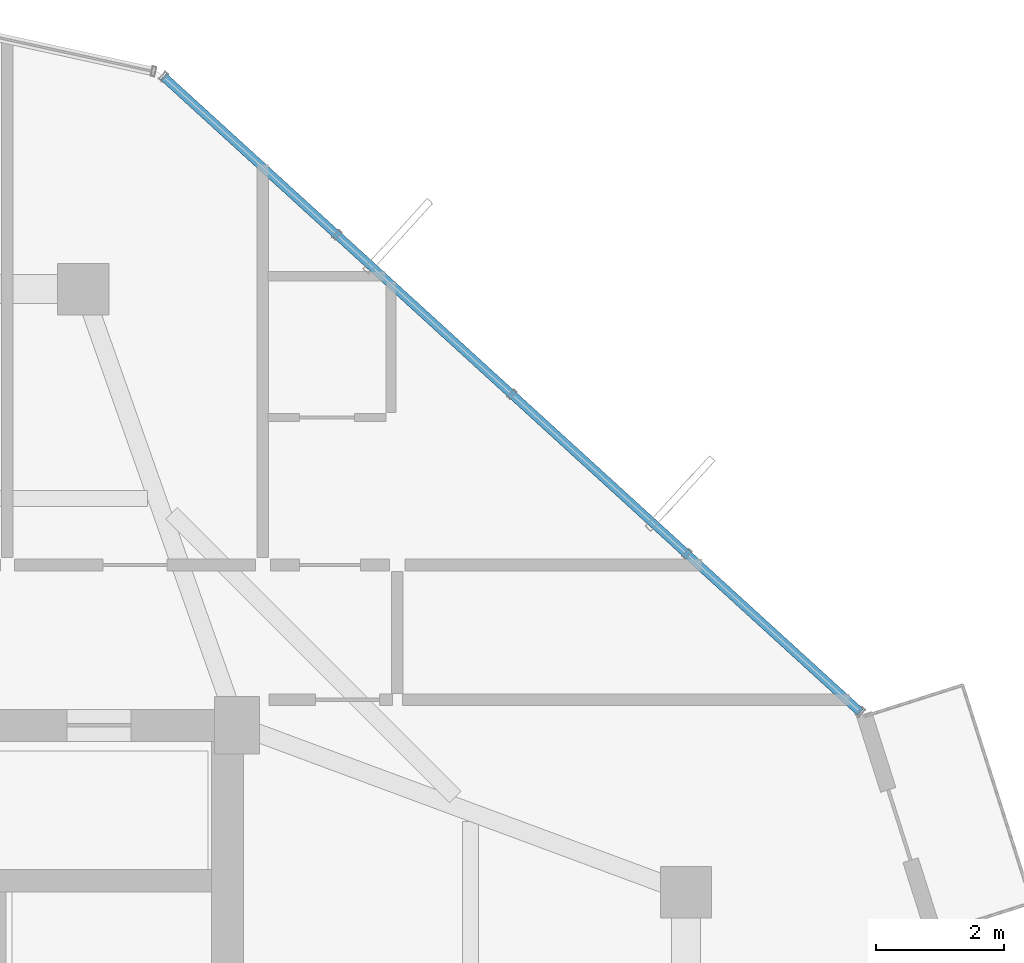
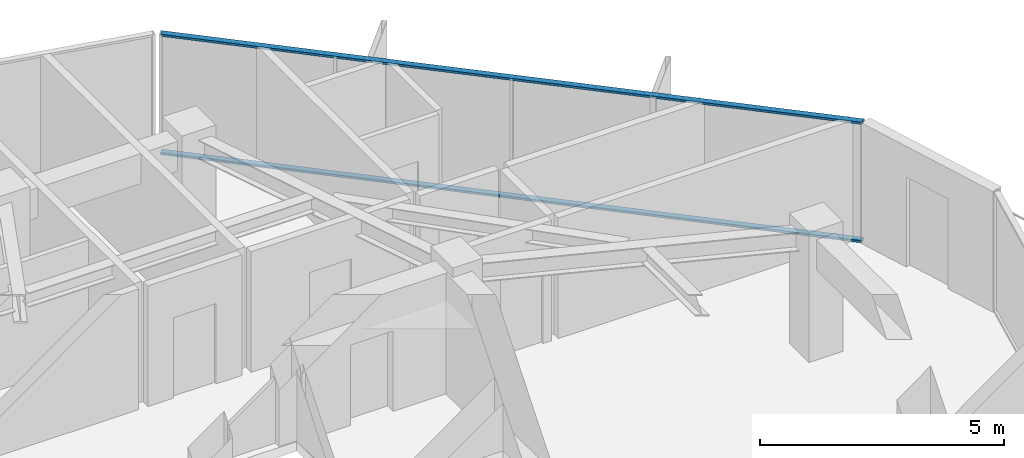
# One storey, part 16 of 28: 2 members, 1 element without a shape of its own.
"""IFC4 building model written with IfcOpenShell, lengths in metres."""

from ifc_helpers import new_model, si_unit, direction, frame, origin, origin_2d, place, context, subcontext, project, spatial, hollow_rectangle, extrude, source, transform, mapped, material, layer, layer_set, material_profile, profile_set, type_object, element, aggregate, save


model = new_model("IFC4")

# Units and contexts
model_context = context("Model", 3, precision=1e-05, world=origin(), true_north=direction((0.0, 1.0)))
body_context = subcontext(model_context, "Body", "Model", "MODEL_VIEW")
ifc_project = project(units=[si_unit("LENGTHUNIT", "METRE"), si_unit("AREAUNIT", "SQUARE_METRE"), si_unit("VOLUMEUNIT", "CUBIC_METRE"), si_unit("PLANEANGLEUNIT", "RADIAN"), si_unit("MASSUNIT", "GRAM", prefix="KILO")], contexts=[model_context])

# Site, building, storey
site_placement = place(None, origin())
site = spatial("IfcSite", under=ifc_project, at=site_placement, CompositionType="ELEMENT")
building_placement = place(site_placement, origin())
building = spatial("IfcBuilding", under=site, at=building_placement, Name="Veraguas Prism Commons", CompositionType="ELEMENT")
storey_placement = place(building_placement, frame((0.0, 0.0, 251.25)))
storey = spatial("IfcBuildingStorey", under=building, at=storey_placement, Name="L71", CompositionType="ELEMENT", Elevation=251.25)

# Curtain wall, members
ifc_material = material(Name="Anodised aluminium EN AW-6063 T6", Category="aluminium")
ifc_layer = layer(ifc_material, 0.14990234375, Name="Unitised Flush Curtain Wall Zone 4", Category="aluminium")
ifc_layer_set = layer_set([ifc_layer], Name="Anodised aluminium EN AW-6063 T6")
curtain_wall_type = type_object("IfcCurtainWallType", Name="Unitised Flush Curtain Wall Zone 4", PredefinedType="NOTDEFINED", material=ifc_layer_set)
curtain_wall_placement = place(storey_placement, origin())
curtain_wall = element("IfcCurtainWall", 1, at=curtain_wall_placement, inside=storey, type_object=curtain_wall_type, Name="Tower Facade Curtain Wall L71-F1", PredefinedType="NOTDEFINED")
ifc_material_profile = material_profile(ifc_material, hollow_rectangle(XDim=0.054931640625, YDim=0.135009765625, WallThickness=0.0029296875, at=origin_2d()), Name="AL55X135X3")
ifc_profile_set = profile_set([ifc_material_profile], Name="Anodised aluminium EN AW-6063 T6")
member_type = type_object("IfcMemberType", Name="Curtain Wall Transom Standard AL 55x135x3", PredefinedType="USERDEFINED", material=ifc_profile_set)
shared_shape = source(origin(), body_context, "Body", "SweptSolid", [
    extrude(hollow_rectangle(XDim=0.054931640625, YDim=0.135009765625, WallThickness=0.0029296875, at=origin_2d()), origin(), (0.0, 0.0, 1.0), 14.70654296875),
])
member_1_placement = place(storey_placement, frame((40.520263671875, 31.2041015625, 0.027587890625), z_axis=(-0.738919135947, 0.673794115833, 0.0), x_axis=(0.0, 0.0, 1.0)))
member_1 = element("IfcMember", 2, at=member_1_placement, type_object=member_type, Name="CW-Z4 Transom 1", ObjectType="TRANSOM", PredefinedType="USERDEFINED", context=body_context, shape_type="MappedRepresentation", body=[
    mapped(shared_shape, transform((0.0, 0.0, 0.0), scale=1.0)),
])
member_2_placement = place(storey_placement, frame((40.520263671875, 31.2041015625, 2.987548828125), z_axis=(-0.738919135947, 0.673794115833, 0.0), x_axis=(0.0, 0.0, 1.0)))
member_2 = element("IfcMember", 3, at=member_2_placement, type_object=member_type, Name="CW-Z4 Transom 2", ObjectType="TRANSOM", PredefinedType="USERDEFINED", context=body_context, shape_type="MappedRepresentation", body=[
    mapped(shared_shape, transform((0.0, 0.0, 0.0), scale=1.0)),
])
aggregate(curtain_wall, [member_1, member_2])

save(model, "model.ifc")
